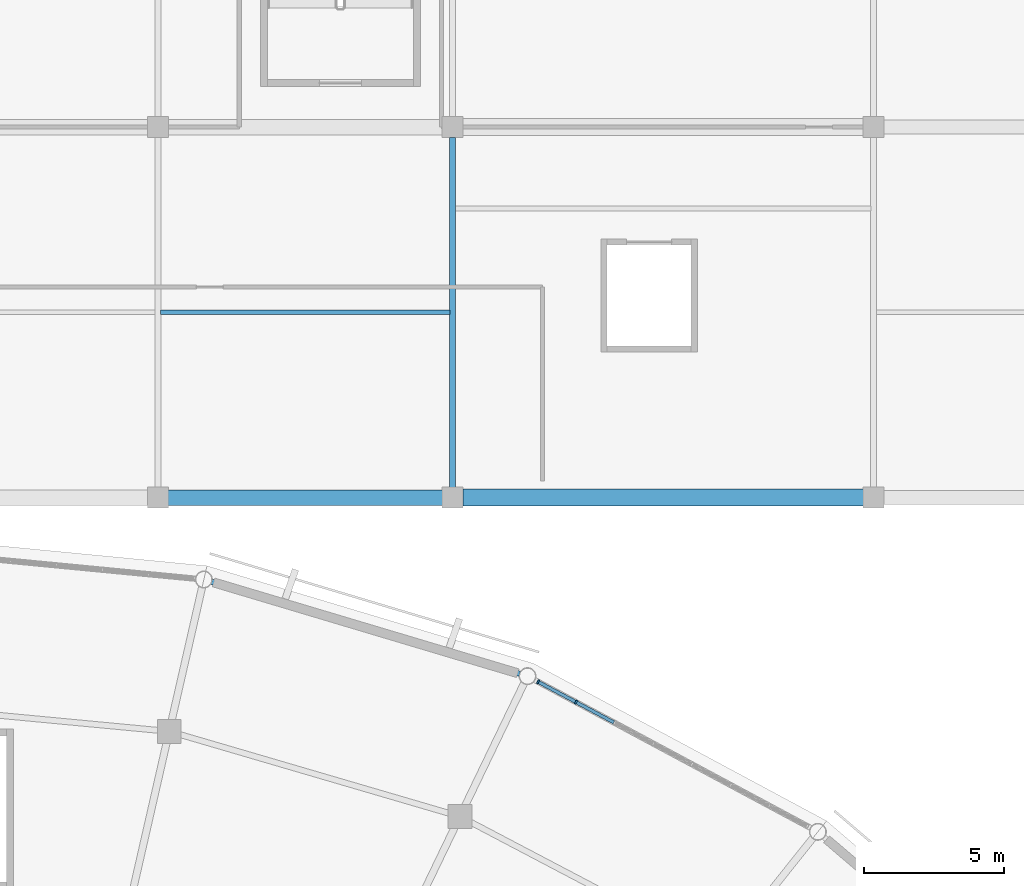
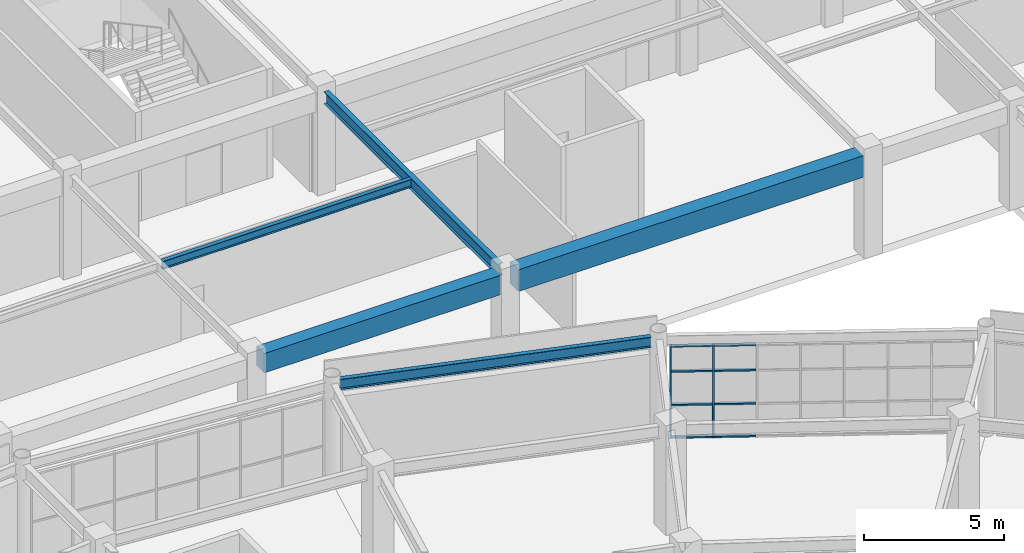
# One storey, part 50 of 112: 10 members, 5 beams, 1 element without a shape of its own.
"""IFC4 building model written with IfcOpenShell, lengths in metres."""

from ifc_helpers import new_model, si_unit, direction, frame, origin, origin_2d, place, context, subcontext, project, spatial, rectangle, i_section, extrude, material, material_profile, profile_set, type_object, element, aggregate, save


model = new_model("IFC4")

# Units and contexts
model_context = context("Model", 3, precision=1e-05, world=origin(), true_north=direction((0.0, 1.0)))
body_context = subcontext(model_context, "Body", "Model", "MODEL_VIEW")
ifc_project = project(units=[si_unit("LENGTHUNIT", "METRE"), si_unit("AREAUNIT", "SQUARE_METRE"), si_unit("VOLUMEUNIT", "CUBIC_METRE"), si_unit("PLANEANGLEUNIT", "RADIAN"), si_unit("MASSUNIT", "GRAM", prefix="KILO")], contexts=[model_context])

# Site, building, storey
site_placement = place(None, origin())
site = spatial("IfcSite", under=ifc_project, at=site_placement, CompositionType="ELEMENT")
building_placement = place(site_placement, origin())
building = spatial("IfcBuilding", under=site, at=building_placement, Name="Cuetzalor Civic Arena", CompositionType="ELEMENT")
storey_placement = place(building_placement, frame((0.0, 0.0, 11.39990234375)))
storey = spatial("IfcBuildingStorey", under=building, at=storey_placement, Name="L02", CompositionType="ELEMENT", Elevation=11.39990234375)

# Beams
ifc_material_1 = material(Name="Concrete C40/50", Category="concrete")
ifc_material_profile_1 = material_profile(ifc_material_1, rectangle(XDim=0.550048828125, YDim=0.85009765625, at=origin_2d()), Name="RC 550x850")
ifc_profile_set_1 = profile_set([ifc_material_profile_1], Name="Concrete C40/50")
beam_type_1 = type_object("IfcBeamType", Name="ConcreteFrameBeam_550x850", PredefinedType="BEAM", material=ifc_profile_set_1)
beam_1_placement = place(storey_placement, frame((10.864990234375, 48.300048828125, 4.05517578125), z_axis=(1.0, 0.0, 0.0), x_axis=(0.0, 1.0, 0.0)))
element("IfcBeam", 1, at=beam_1_placement, inside=storey, type_object=beam_type_1, Name="Frame Girder V5-L02-X0792", PredefinedType="BEAM", context=body_context, shape_type="SweptSolid", body=[
    extrude(rectangle(XDim=0.550048828125, YDim=0.85009765625, at=origin_2d()), origin(), (0.0, 0.0, 1.0), 9.77001953125),
])
ifc_material_2 = material(Name="Concrete C40/50", Category="concrete")
ifc_material_profile_2 = material_profile(ifc_material_2, rectangle(XDim=0.60009765625, YDim=0.949951171875, at=origin_2d()), Name="RC 600x950")
ifc_profile_set_2 = profile_set([ifc_material_profile_2], Name="Concrete C40/50")
beam_type_2 = type_object("IfcBeamType", Name="ConcreteFrameBeam_600x950", PredefinedType="BEAM", material=ifc_profile_set_2)
beam_2_placement = place(storey_placement, frame((21.364990234375, 48.300048828125, 4.005126953125), z_axis=(1.0, 0.0, 0.0), x_axis=(0.0, 1.0, 0.0)))
element("IfcBeam", 2, at=beam_2_placement, inside=storey, type_object=beam_type_2, Name="Frame Girder V5-L02-X0793", PredefinedType="BEAM", context=body_context, shape_type="SweptSolid", body=[
    extrude(rectangle(XDim=0.60009765625, YDim=0.949951171875, at=origin_2d()), origin(), (0.0, 0.0, 1.0), 14.27001953125),
])

# Curtain wall, members
ifc_material_3 = material(Name="Anodised dark bronze aluminium and low-E solar glass", Category="aluminium")
curtain_wall_type = type_object("IfcCurtainWallType", Name="UnitisedCW_10950x4050", PredefinedType="USERDEFINED", material=ifc_material_3)
curtain_wall_placement = place(storey_placement, origin())
curtain_wall = element("IfcCurtainWall", 3, at=curtain_wall_placement, inside=storey, type_object=curtain_wall_type, Name="Drum Triangle Foyer Curtain Wall L02-034", ObjectType="UNITISED CURTAIN WALL", PredefinedType="USERDEFINED")
ifc_material_4 = material(Name="Anodised dark bronze aluminium", Category="aluminium")
ifc_material_profile_3 = material_profile(ifc_material_4, rectangle(XDim=0.06494140625, YDim=0.14990234375, at=origin_2d()), Name="ALU MULLION 65x150")
ifc_profile_set_3 = profile_set([ifc_material_profile_3], Name="Anodised dark bronze aluminium")
member_type_1 = type_object("IfcMemberType", Name="CurtainWallMullion_60x150", PredefinedType="MULLION", material=ifc_profile_set_3)
member_1_placement = place(storey_placement, frame((24.044921875, 41.738037109375, 0.0), z_axis=(0.0, 0.0, 1.0), x_axis=(0.881306344124, -0.472545371163, 0.0)))
member_1 = element("IfcMember", 4, at=member_1_placement, type_object=member_type_1, Name="CW-13 mullion 1", PredefinedType="MULLION", context=body_context, shape_type="SweptSolid", body=[
    extrude(rectangle(XDim=0.06494140625, YDim=0.14990234375, at=origin_2d()), origin(), (0.0, 0.0, 1.0), 4.052978515625),
])
member_2_placement = place(storey_placement, frame((25.39453125, 41.0146484375, 0.0), z_axis=(0.0, 0.0, 1.0), x_axis=(0.881306344124, -0.472545371163, 0.0)))
member_2 = element("IfcMember", 5, at=member_2_placement, type_object=member_type_1, Name="CW-13 mullion 2", PredefinedType="MULLION", context=body_context, shape_type="SweptSolid", body=[
    extrude(rectangle(XDim=0.06494140625, YDim=0.14990234375, at=origin_2d()), origin(), (0.0, 0.0, 1.0), 4.052978515625),
])
ifc_material_5 = material(Name="Anodised dark bronze aluminium", Category="aluminium")
ifc_material_profile_4 = material_profile(ifc_material_5, rectangle(XDim=0.1201171875, YDim=0.06494140625, at=origin_2d()), Name="ALU TRANSOM 65x120")
ifc_profile_set_4 = profile_set([ifc_material_profile_4], Name="Anodised dark bronze aluminium")
member_type_2 = type_object("IfcMemberType", Name="CurtainWallTransom_60x120", PredefinedType="USERDEFINED", material=ifc_profile_set_4)
member_3_placement = place(storey_placement, frame((24.07373046875, 41.722900390625, 0.03271484375), z_axis=(0.881309117216, -0.472540199255, 0.0), x_axis=(0.472540199255, 0.881309117216, 0.0)))
member_3 = element("IfcMember", 6, at=member_3_placement, type_object=member_type_2, Name="CW-13 transom 1.1", ObjectType="TRANSOM", PredefinedType="USERDEFINED", context=body_context, shape_type="SweptSolid", body=[
    extrude(rectangle(XDim=0.1201171875, YDim=0.06494140625, at=origin_2d()), origin(), (0.0, 0.0, 1.0), 1.46630859375),
])
member_4_placement = place(storey_placement, frame((24.07373046875, 41.722900390625, 1.458984375), z_axis=(0.881309117216, -0.472540199255, 0.0), x_axis=(0.472540199255, 0.881309117216, 0.0)))
member_4 = element("IfcMember", 7, at=member_4_placement, type_object=member_type_2, Name="CW-13 transom 1.2", ObjectType="TRANSOM", PredefinedType="USERDEFINED", context=body_context, shape_type="SweptSolid", body=[
    extrude(rectangle(XDim=0.1201171875, YDim=0.06494140625, at=origin_2d()), origin(), (0.0, 0.0, 1.0), 1.46630859375),
])
member_5_placement = place(storey_placement, frame((24.07373046875, 41.722900390625, 2.918212890625), z_axis=(0.881309117216, -0.472540199255, 0.0), x_axis=(0.472540199255, 0.881309117216, 0.0)))
member_5 = element("IfcMember", 8, at=member_5_placement, type_object=member_type_2, Name="CW-13 transom 1.3", ObjectType="TRANSOM", PredefinedType="USERDEFINED", context=body_context, shape_type="SweptSolid", body=[
    extrude(rectangle(XDim=0.1201171875, YDim=0.06494140625, at=origin_2d()), origin(), (0.0, 0.0, 1.0), 1.46630859375),
])
member_6_placement = place(storey_placement, frame((24.07373046875, 41.722900390625, 4.0205078125), z_axis=(0.881309117216, -0.472540199255, 0.0), x_axis=(0.472540199255, 0.881309117216, 0.0)))
member_6 = element("IfcMember", 9, at=member_6_placement, type_object=member_type_2, Name="CW-13 transom 1.4", ObjectType="TRANSOM", PredefinedType="USERDEFINED", context=body_context, shape_type="SweptSolid", body=[
    extrude(rectangle(XDim=0.1201171875, YDim=0.06494140625, at=origin_2d()), origin(), (0.0, 0.0, 1.0), 1.46630859375),
])
member_7_placement = place(storey_placement, frame((25.423095703125, 40.999267578125, 0.03271484375), z_axis=(0.881327378195, -0.472506140112, 0.0), x_axis=(0.472506140112, 0.881327378195, 0.0)))
member_7 = element("IfcMember", 10, at=member_7_placement, type_object=member_type_2, Name="CW-13 transom 2.1", ObjectType="TRANSOM", PredefinedType="USERDEFINED", context=body_context, shape_type="SweptSolid", body=[
    extrude(rectangle(XDim=0.1201171875, YDim=0.06494140625, at=origin_2d()), origin(), (0.0, 0.0, 1.0), 1.4990234375),
])
member_8_placement = place(storey_placement, frame((25.423095703125, 40.999267578125, 1.458984375), z_axis=(0.881327378195, -0.472506140112, 0.0), x_axis=(0.472506140112, 0.881327378195, 0.0)))
member_8 = element("IfcMember", 11, at=member_8_placement, type_object=member_type_2, Name="CW-13 transom 2.2", ObjectType="TRANSOM", PredefinedType="USERDEFINED", context=body_context, shape_type="SweptSolid", body=[
    extrude(rectangle(XDim=0.1201171875, YDim=0.06494140625, at=origin_2d()), origin(), (0.0, 0.0, 1.0), 1.4990234375),
])
member_9_placement = place(storey_placement, frame((25.423095703125, 40.999267578125, 2.918212890625), z_axis=(0.881327378195, -0.472506140112, 0.0), x_axis=(0.472506140112, 0.881327378195, 0.0)))
member_9 = element("IfcMember", 12, at=member_9_placement, type_object=member_type_2, Name="CW-13 transom 2.3", ObjectType="TRANSOM", PredefinedType="USERDEFINED", context=body_context, shape_type="SweptSolid", body=[
    extrude(rectangle(XDim=0.1201171875, YDim=0.06494140625, at=origin_2d()), origin(), (0.0, 0.0, 1.0), 1.4990234375),
])
member_10_placement = place(storey_placement, frame((25.423095703125, 40.999267578125, 4.0205078125), z_axis=(0.881327378195, -0.472506140112, 0.0), x_axis=(0.472506140112, 0.881327378195, 0.0)))
member_10 = element("IfcMember", 13, at=member_10_placement, type_object=member_type_2, Name="CW-13 transom 2.4", ObjectType="TRANSOM", PredefinedType="USERDEFINED", context=body_context, shape_type="SweptSolid", body=[
    extrude(rectangle(XDim=0.1201171875, YDim=0.06494140625, at=origin_2d()), origin(), (0.0, 0.0, 1.0), 1.4990234375),
])
aggregate(curtain_wall, [member_1, member_2, member_3, member_4, member_5, member_6, member_7, member_8, member_9, member_10])

# Beams
ifc_material_6 = material(Name="Steel S355", Category="steel")
ifc_material_profile_5 = material_profile(ifc_material_6, i_section(OverallWidth=0.18994140625, OverallDepth=0.45703125, WebThickness=0.009033203125, FlangeThickness=0.014404296875, at=origin_2d()), Name="W460x74")
ifc_profile_set_5 = profile_set([ifc_material_profile_5], Name="Steel S355")
beam_type_3 = type_object("IfcBeamType", Name="FacadeSpandrelBeam_W460", PredefinedType="SPANDREL", material=ifc_profile_set_5)
beam_3_placement = place(storey_placement, frame((23.390380859375, 42.023193359375, 4.29150390625), z_axis=(-0.958199215373, 0.28610184141, 0.0), x_axis=(-0.28610184141, -0.958199215373, 0.0)))
element("IfcBeam", 14, at=beam_3_placement, inside=storey, type_object=beam_type_3, Name="Drum Perimeter Spandrel L02-S06", PredefinedType="SPANDREL", context=body_context, shape_type="SweptSolid", body=[
    extrude(i_section(OverallWidth=0.18994140625, OverallDepth=0.45703125, WebThickness=0.009033203125, FlangeThickness=0.014404296875, at=origin_2d()), origin(), (0.0, 0.0, 1.0), 11.45263671875),
])
ifc_material_7 = material(Name="Steel S355", Category="steel")
ifc_material_profile_6 = material_profile(ifc_material_7, i_section(OverallWidth=0.1708984375, OverallDepth=0.35498046875, WebThickness=0.007080078125, FlangeThickness=0.01171875, at=origin_2d()), Name="W360x51")
ifc_profile_set_6 = profile_set([ifc_material_profile_6], Name="Steel S355")
beam_type_4 = type_object("IfcBeamType", Name="SecondaryFloorJoist_W360", PredefinedType="JOIST", material=ifc_profile_set_6)
beam_4_placement = place(storey_placement, frame((10.596435546875, 54.89990234375, 4.302490234375), z_axis=(1.0, 0.0, 0.0), x_axis=(0.0, 1.0, 0.0)))
element("IfcBeam", 15, at=beam_4_placement, inside=storey, type_object=beam_type_4, Name="Secondary Floor Joist V5-L02-0253", PredefinedType="JOIST", context=body_context, shape_type="SweptSolid", body=[
    extrude(i_section(OverallWidth=0.1708984375, OverallDepth=0.35498046875, WebThickness=0.007080078125, FlangeThickness=0.01171875, at=origin_2d()), origin(), (0.0, 0.0, 1.0), 10.30712890625),
])
ifc_material_8 = material(Name="Steel S355", Category="steel")
ifc_material_profile_7 = material_profile(ifc_material_8, i_section(OverallWidth=0.208984375, OverallDepth=0.532958984375, WebThickness=0.01025390625, FlangeThickness=0.015625, at=origin_2d()), Name="W530x92")
ifc_profile_set_7 = profile_set([ifc_material_profile_7], Name="Steel S355")
beam_type_5 = type_object("IfcBeamType", Name="SteelCollarGirder_W530", PredefinedType="BEAM", material=ifc_profile_set_7)
beam_5_placement = place(storey_placement, frame((21.0, 48.6650390625, 4.213623046875), z_axis=(0.0, 1.0, 0.0), x_axis=(-1.0, 0.0, 0.0)))
element("IfcBeam", 16, at=beam_5_placement, inside=storey, type_object=beam_type_5, Name="Frame Girder V5-L02-Y0838", PredefinedType="BEAM", context=body_context, shape_type="SweptSolid", body=[
    extrude(i_section(OverallWidth=0.208984375, OverallDepth=0.532958984375, WebThickness=0.01025390625, FlangeThickness=0.015625, at=origin_2d()), origin(), (0.0, 0.0, 1.0), 12.469970703125),
])

save(model, "model.ifc")
